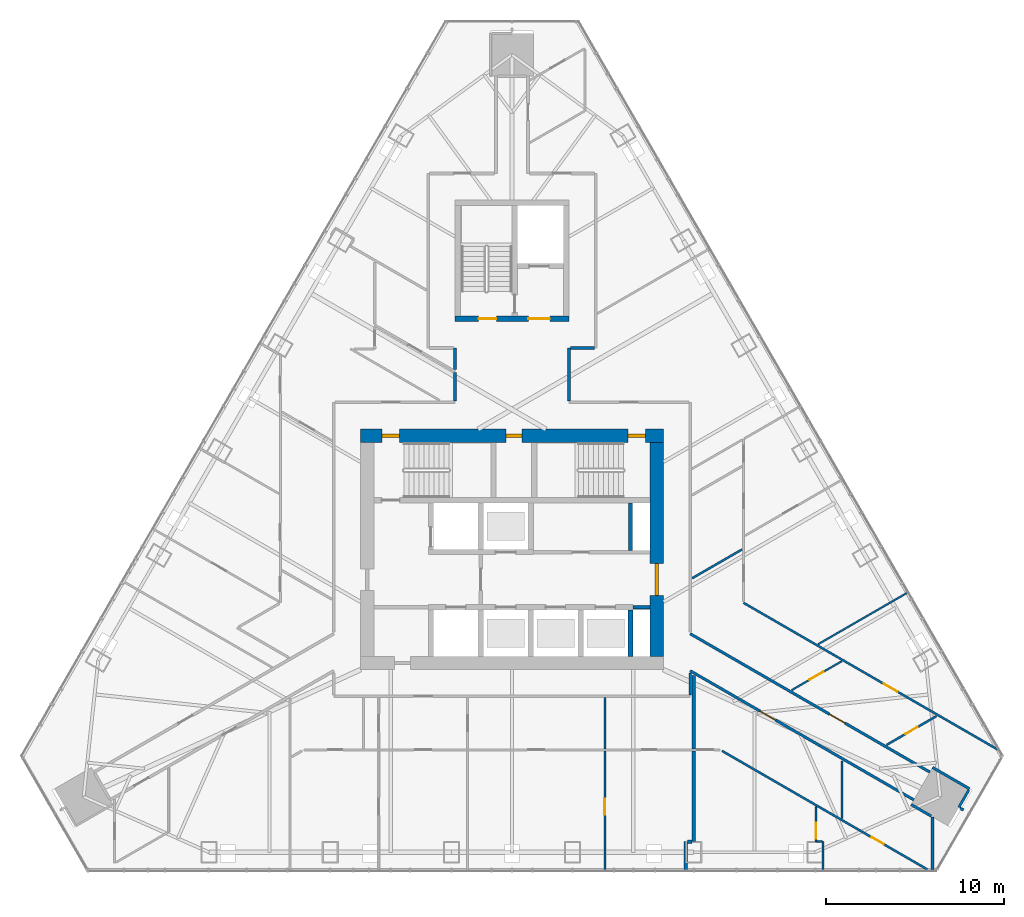
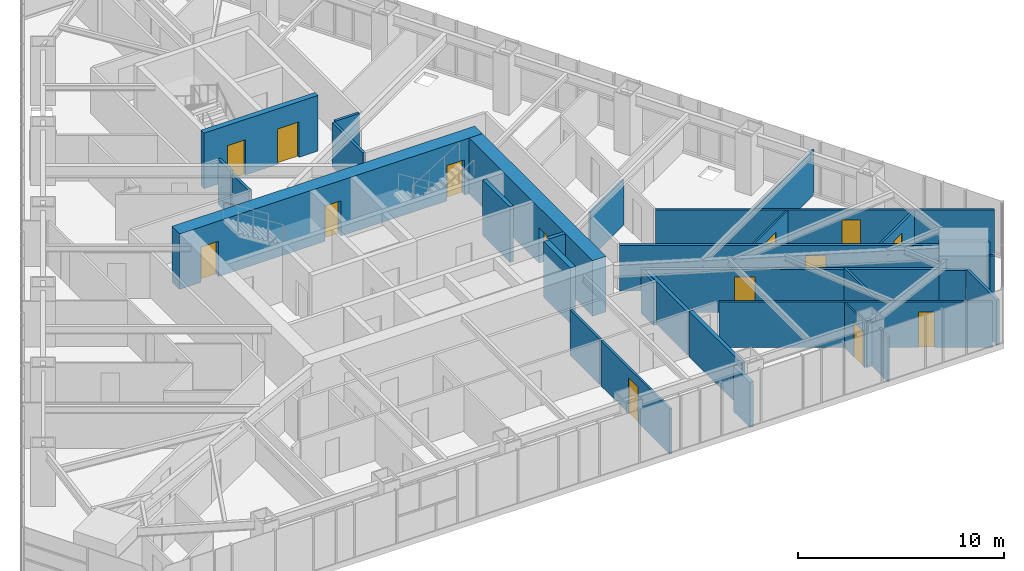
# One storey, part 15 of 19: 34 walls, 14 doors, 14 openings.
"""IFC4 building model written with IfcOpenShell, lengths in metres."""

from ifc_helpers import new_model, si_unit, direction, frame, frame_2d, origin, place, context, subcontext, project, spatial, rectangle, extrude, material, layer, layer_set, type_object, element, fill, save


model = new_model("IFC4")

# Units and contexts
model_context = context("Model", 3, precision=1e-05, world=origin(), true_north=direction((0.0, 1.0)))
body_context = subcontext(model_context, "Body", "Model", "MODEL_VIEW")
ifc_project = project(units=[si_unit("LENGTHUNIT", "METRE"), si_unit("AREAUNIT", "SQUARE_METRE"), si_unit("VOLUMEUNIT", "CUBIC_METRE"), si_unit("PLANEANGLEUNIT", "RADIAN"), si_unit("MASSUNIT", "GRAM", prefix="KILO")], contexts=[model_context])

# Site, building, storey
site_placement = place(None, origin())
site = spatial("IfcSite", under=ifc_project, at=site_placement, CompositionType="ELEMENT")
building_placement = place(site_placement, origin())
building = spatial("IfcBuilding", under=site, at=building_placement, Name="Firuza Gate Tower and Library", CompositionType="ELEMENT")
storey_placement = place(building_placement, frame((0.0, 0.0, 256.60009765625)))
storey = spatial("IfcBuildingStorey", under=building, at=storey_placement, Name="L60", CompositionType="ELEMENT", Elevation=256.60009765625)

# Walls
ifc_material_1 = material(Name="Plasterboard on steel studs", Category="steel")
ifc_layer_1 = layer(ifc_material_1, 0.199951171875)
ifc_layer_set_1 = layer_set([ifc_layer_1], Name="Core partition 200 EI 120")
wall_type_1 = type_object("IfcWallType", Name="Core partition 200 EI 120", PredefinedType="PARTITIONING", material=ifc_layer_set_1)
wall_1_placement = place(storey_placement, frame((81.800048828125, 71.75, 0.0), z_axis=(0.0, 0.0, 1.0), x_axis=(1.0, 0.0, 0.0)))
element("IfcWall", 1, at=wall_1_placement, inside=storey, type_object=wall_type_1, Name="Core partition L60 2", PredefinedType="PARTITIONING", context=body_context, shape_type="SweptSolid", body=[
    extrude(rectangle(XDim=0.949951171875, YDim=0.199951171875, at=frame_2d((0.47509765625, 0.0))), origin(), (0.0, 0.0, 1.0), 3.2998046875),
])
wall_2_placement = place(storey_placement, frame((81.64990234375, 74.949951171875, 0.0), z_axis=(0.0, 0.0, 1.0), x_axis=(0.0, 1.0, 0.0)))
element("IfcWall", 2, at=wall_2_placement, inside=storey, type_object=wall_type_1, Name="Core partition L60 5", PredefinedType="PARTITIONING", context=body_context, shape_type="SweptSolid", body=[
    extrude(rectangle(XDim=2.650146484375, YDim=0.199951171875, at=frame_2d((1.3251953125, 0.0))), origin(), (0.0, 0.0, 1.0), 3.2998046875),
])
ifc_material_2 = material(Name="Concrete C60/75", Category="concrete")
ifc_layer_2 = layer(ifc_material_2, 0.300048828125)
ifc_layer_set_2 = layer_set([ifc_layer_2], Name="Core wall 300 C60/75")
wall_type_2 = type_object("IfcWallType", Name="Core wall 300 C60/75", PredefinedType="SHEAR", material=ifc_layer_set_2)
wall_3_placement = place(storey_placement, frame((81.64990234375, 69.0, 0.0), z_axis=(0.0, 0.0, 1.0), x_axis=(0.0, 1.0, 0.0)))
element("IfcWall", 3, at=wall_3_placement, inside=storey, type_object=wall_type_2, Name="Core wall L60 14", PredefinedType="SHEAR", context=body_context, shape_type="SweptSolid", body=[
    extrude(rectangle(XDim=2.60009765625, YDim=0.300048828125, at=frame_2d((1.300048828125, 0.0))), origin(), (0.0, 0.0, 1.0), 3.2998046875),
])

# Wall, openings, doors
wall_4_placement = place(storey_placement, frame((71.800048828125, 87.949951171875, 0.0), z_axis=(0.0, 0.0, 1.0), x_axis=(1.0, 0.0, 0.0)))
wall_4 = element("IfcWall", 4, at=wall_4_placement, inside=storey, type_object=wall_type_2, Name="Core wall L60 18", PredefinedType="SHEAR", context=body_context, shape_type="SweptSolid", body=[
    extrude(rectangle(XDim=6.39990234375, YDim=0.300048828125, at=frame_2d((3.199951171875, 0.0))), origin(), (0.0, 0.0, 1.0), 3.2998046875),
])
opening_1_placement = place(wall_4_placement, frame((1.324951171875, 0.0, 0.0)))
opening_1 = element("IfcOpeningElement", 5, at=opening_1_placement, cuts=wall_4, Name="Opening L60-K11", PredefinedType="OPENING", context=body_context, shape_type="SweptSolid", body=[
    extrude(rectangle(XDim=1.0, YDim=2.10009765625, at=frame_2d((0.5, 1.050048828125))), frame((0.0, 0.16015625, 0.0), z_axis=(0.0, -1.0, 0.0), x_axis=(1.0, 0.0, 0.0)), (0.0, 0.0, 1.0), 0.320068359375),
])
opening_2_placement = place(wall_4_placement, frame((4.125, 0.0, 0.0)))
opening_2 = element("IfcOpeningElement", 6, at=opening_2_placement, cuts=wall_4, Name="Opening L60-K13", PredefinedType="OPENING", context=body_context, shape_type="SweptSolid", body=[
    extrude(rectangle(XDim=1.199951171875, YDim=2.10009765625, at=frame_2d((0.60009765625, 1.050048828125))), frame((0.0, 0.16015625, 0.0), z_axis=(0.0, -1.0, 0.0), x_axis=(1.0, 0.0, 0.0)), (0.0, 0.0, 1.0), 0.320068359375),
])
ifc_material_3 = material(Name="Steel", Category="steel")
door_type_1 = type_object("IfcDoorType", Name="Fire door 1000x2100 FD90", OperationType="NOTDEFINED", PredefinedType="DOOR", material=ifc_material_3)
door_1_placement = place(opening_1_placement, origin())
door_1 = element("IfcDoor", 7, at=door_1_placement, inside=storey, type_object=door_type_1, Name="Door L60-K11", OperationType="SINGLE_SWING_RIGHT", OverallHeight=2.10009765625, OverallWidth=1.0, PredefinedType="DOOR", context=body_context, shape_type="SweptSolid", body=[
    extrude(rectangle(XDim=1.0, YDim=2.10009765625, at=frame_2d((0.5, 1.050048828125))), frame((0.0, 0.02490234375, 0.0), z_axis=(0.0, -1.0, 0.0), x_axis=(1.0, 0.0, 0.0)), (0.0, 0.0, 1.0), 0.050048828125),
])
fill(opening_1, door_1)
ifc_material_4 = material(Name="Steel", Category="steel")
door_type_2 = type_object("IfcDoorType", Name="Fire door 1200x2100 FD30S", OperationType="NOTDEFINED", PredefinedType="DOOR", material=ifc_material_4)
door_2_placement = place(opening_2_placement, origin())
door_2 = element("IfcDoor", 8, at=door_2_placement, inside=storey, type_object=door_type_2, Name="Door L60-K13", OperationType="SINGLE_SWING_RIGHT", OverallHeight=2.10009765625, OverallWidth=1.199951171875, PredefinedType="DOOR", context=body_context, shape_type="SweptSolid", body=[
    extrude(rectangle(XDim=1.199951171875, YDim=2.10009765625, at=frame_2d((0.60009765625, 1.050048828125))), frame((0.0, 0.02490234375, 0.0), z_axis=(0.0, -1.0, 0.0), x_axis=(1.0, 0.0, 0.0)), (0.0, 0.0, 1.0), 0.050048828125),
])
fill(opening_2, door_2)

ifc_material_5 = material(Name="Concrete C60/75", Category="concrete")
ifc_layer_3 = layer(ifc_material_5, 0.75)
ifc_layer_set_3 = layer_set([ifc_layer_3], Name="Core wall 750 C60/75")
wall_type_3 = type_object("IfcWallType", Name="Core wall 750 C60/75", PredefinedType="SHEAR", material=ifc_layer_set_3)
wall_5_placement = place(storey_placement, frame((66.5, 81.375, 0.0), z_axis=(0.0, 0.0, 1.0), x_axis=(1.0, 0.0, 0.0)))
wall_5 = element("IfcWall", 9, at=wall_5_placement, inside=storey, type_object=wall_type_3, Name="Core wall L60 2", PredefinedType="SHEAR", context=body_context, shape_type="SweptSolid", body=[
    extrude(rectangle(XDim=17.0, YDim=0.75, at=frame_2d((8.5, 0.0))), origin(), (0.0, 0.0, 1.0), 3.2998046875),
])
opening_3_placement = place(wall_5_placement, frame((1.195068359375, 0.0, 0.0)))
opening_3 = element("IfcOpeningElement", 10, at=opening_3_placement, cuts=wall_5, Name="Opening L60-K09", PredefinedType="OPENING", context=body_context, shape_type="SweptSolid", body=[
    extrude(rectangle(XDim=1.0, YDim=2.10009765625, at=frame_2d((0.5, 1.050048828125))), frame((0.0, 0.385009765625, 0.0), z_axis=(0.0, -1.0, 0.0), x_axis=(1.0, 0.0, 0.0)), (0.0, 0.0, 1.0), 0.77001953125),
])
opening_4_placement = place(wall_5_placement, frame((15.0048828125, 0.0, 0.0)))
opening_4 = element("IfcOpeningElement", 11, at=opening_4_placement, cuts=wall_5, Name="Opening L60-K10", PredefinedType="OPENING", context=body_context, shape_type="SweptSolid", body=[
    extrude(rectangle(XDim=1.0, YDim=2.10009765625, at=frame_2d((0.5, 1.050048828125))), frame((0.0, 0.385009765625, 0.0), z_axis=(0.0, -1.0, 0.0), x_axis=(1.0, 0.0, 0.0)), (0.0, 0.0, 1.0), 0.77001953125),
])
opening_5_placement = place(wall_5_placement, frame((8.14990234375, 0.0, 0.0)))
opening_5 = element("IfcOpeningElement", 12, at=opening_5_placement, cuts=wall_5, Name="Opening L60-K19", PredefinedType="OPENING", context=body_context, shape_type="SweptSolid", body=[
    extrude(rectangle(XDim=0.89990234375, YDim=2.10009765625, at=frame_2d((0.449951171875, 1.050048828125))), frame((0.0, 0.385009765625, 0.0), z_axis=(0.0, -1.0, 0.0), x_axis=(1.0, 0.0, 0.0)), (0.0, 0.0, 1.0), 0.77001953125),
])
door_3_placement = place(opening_3_placement, origin())
door_3 = element("IfcDoor", 13, at=door_3_placement, inside=storey, type_object=door_type_1, Name="Door L60-K09", OperationType="SINGLE_SWING_RIGHT", OverallHeight=2.10009765625, OverallWidth=1.0, PredefinedType="DOOR", context=body_context, shape_type="SweptSolid", body=[
    extrude(rectangle(XDim=1.0, YDim=2.10009765625, at=frame_2d((0.5, 1.050048828125))), frame((0.0, 0.094970703125, 0.0), z_axis=(0.0, -1.0, 0.0), x_axis=(1.0, 0.0, 0.0)), (0.0, 0.0, 1.0), 0.18994140625),
])
fill(opening_3, door_3)
door_4_placement = place(opening_4_placement, origin())
door_4 = element("IfcDoor", 14, at=door_4_placement, inside=storey, type_object=door_type_1, Name="Door L60-K10", OperationType="SINGLE_SWING_LEFT", OverallHeight=2.10009765625, OverallWidth=1.0, PredefinedType="DOOR", context=body_context, shape_type="SweptSolid", body=[
    extrude(rectangle(XDim=1.0, YDim=2.10009765625, at=frame_2d((0.5, 1.050048828125))), frame((0.0, 0.094970703125, 0.0), z_axis=(0.0, -1.0, 0.0), x_axis=(1.0, 0.0, 0.0)), (0.0, 0.0, 1.0), 0.18994140625),
])
fill(opening_4, door_4)
ifc_material_6 = material(Name="Steel", Category="steel")
door_type_3 = type_object("IfcDoorType", Name="Fire door 900x2100 FD30S", OperationType="NOTDEFINED", PredefinedType="DOOR", material=ifc_material_6)
door_5_placement = place(opening_5_placement, origin())
door_5 = element("IfcDoor", 15, at=door_5_placement, inside=storey, type_object=door_type_3, Name="Door L60-K19", OperationType="SINGLE_SWING_RIGHT", OverallHeight=2.10009765625, OverallWidth=0.89990234375, PredefinedType="DOOR", context=body_context, shape_type="SweptSolid", body=[
    extrude(rectangle(XDim=0.89990234375, YDim=2.10009765625, at=frame_2d((0.449951171875, 1.050048828125))), frame((0.0, 0.094970703125, 0.0), z_axis=(0.0, -1.0, 0.0), x_axis=(1.0, 0.0, 0.0)), (0.0, 0.0, 1.0), 0.18994140625),
])
fill(opening_5, door_5)

# Wall, opening, door
wall_6_placement = place(storey_placement, frame((83.125, 69.0, 0.0), z_axis=(0.0, 0.0, 1.0), x_axis=(0.0, 1.0, 0.0)))
wall_6 = element("IfcWall", 16, at=wall_6_placement, inside=storey, type_object=wall_type_3, Name="Core wall L60 4", PredefinedType="SHEAR", context=body_context, shape_type="SweptSolid", body=[
    extrude(rectangle(XDim=12.0, YDim=0.75, at=frame_2d((6.0, 0.0))), origin(), (0.0, 0.0, 1.0), 3.2998046875),
])
opening_6_placement = place(wall_6_placement, frame((3.39990234375, 0.0, 0.0)))
opening_6 = element("IfcOpeningElement", 17, at=opening_6_placement, cuts=wall_6, Name="Opening L60-K16", PredefinedType="OPENING", context=body_context, shape_type="SweptSolid", body=[
    extrude(rectangle(XDim=1.800048828125, YDim=2.10009765625, at=frame_2d((0.89990234375, 1.050048828125))), frame((0.0, 0.385009765625, 0.0), z_axis=(0.0, -1.0, 0.0), x_axis=(1.0, 0.0, 0.0)), (0.0, 0.0, 1.0), 0.77001953125),
])
ifc_material_7 = material(Name="Steel", Category="steel")
door_type_4 = type_object("IfcDoorType", Name="Fire door 1800x2100 FD30S", OperationType="NOTDEFINED", PredefinedType="DOOR", material=ifc_material_7)
door_6_placement = place(opening_6_placement, origin())
door_6 = element("IfcDoor", 18, at=door_6_placement, inside=storey, type_object=door_type_4, Name="Door L60-K16", OperationType="SINGLE_SWING_LEFT", OverallHeight=2.10009765625, OverallWidth=1.800048828125, PredefinedType="DOOR", context=body_context, shape_type="SweptSolid", body=[
    extrude(rectangle(XDim=1.800048828125, YDim=2.10009765625, at=frame_2d((0.89990234375, 1.050048828125))), frame((0.0, 0.094970703125, 0.0), z_axis=(0.0, -1.0, 0.0), x_axis=(1.0, 0.0, 0.0)), (0.0, 0.0, 1.0), 0.18994140625),
])
fill(opening_6, door_6)

# Walls
ifc_material_8 = material(Name="Gypsum board partition")
ifc_layer_4 = layer(ifc_material_8, 0.14990234375)
ifc_layer_set_4 = layer_set([ifc_layer_4], Name="Corridor wall 150 double board on steel studs")
wall_type_4 = type_object("IfcWallType", Name="Corridor wall 150 double board on steel studs", PredefinedType="PARTITIONING", material=ifc_layer_set_4)
wall_7_placement = place(storey_placement, frame((78.27490234375, 86.300048828125, 0.0), z_axis=(0.0, 0.0, 1.0), x_axis=(1.0, 0.0, 0.0)))
element("IfcWall", 19, at=wall_7_placement, inside=storey, type_object=wall_type_4, Name="f:L60:w008", PredefinedType="PARTITIONING", context=body_context, shape_type="SweptSolid", body=[
    extrude(rectangle(XDim=1.349609375, YDim=0.14990234375, at=frame_2d((0.6748046875, 0.0))), origin(), (0.0, 0.0, 1.0), 2.699951171875),
])
wall_8_placement = place(storey_placement, frame((100.080078125, 60.52001953125, 0.0), z_axis=(0.0, 0.0, 1.0), x_axis=(0.500060622324, 0.86599040064, 0.0)))
element("IfcWall", 20, at=wall_8_placement, inside=storey, type_object=wall_type_4, Name="f:L60:w030", PredefinedType="PARTITIONING", context=body_context, shape_type="SweptSolid", body=[
    extrude(rectangle(XDim=1.124755859375, YDim=0.14990234375, at=frame_2d((0.5625, 0.0))), origin(), (0.0, 0.0, 1.0), 2.699951171875),
])
wall_9_placement = place(storey_placement, frame((98.60107421875, 57.042236328125, 0.0), z_axis=(0.0, 0.0, 1.0), x_axis=(0.0, 1.0, 0.0)))
element("IfcWall", 21, at=wall_9_placement, inside=storey, type_object=wall_type_4, Name="f:L60:w033", PredefinedType="PARTITIONING", context=body_context, shape_type="SweptSolid", body=[
    extrude(rectangle(XDim=2.9462890625, YDim=0.14990234375, at=frame_2d((1.47314453125, 0.0))), origin(), (0.0, 0.0, 1.0), 2.699951171875),
])
wall_10_placement = place(storey_placement, frame((85.0, 66.824951171875, 0.0), z_axis=(0.0, 0.0, 1.0), x_axis=(0.0, 1.0, 0.0)))
element("IfcWall", 22, at=wall_10_placement, inside=storey, type_object=wall_type_4, Name="f:L60:w039", PredefinedType="PARTITIONING", context=body_context, shape_type="SweptSolid", body=[
    extrude(rectangle(XDim=1.225830078125, YDim=0.14990234375, at=frame_2d((0.61279296875, 0.0))), origin(), (0.0, 0.0, 1.0), 2.546875),
])
wall_11_placement = place(storey_placement, frame((78.199951171875, 83.324951171875, 0.0), z_axis=(0.0, 0.0, 1.0), x_axis=(0.0, 1.0, 0.0)))
element("IfcWall", 23, at=wall_11_placement, inside=storey, type_object=wall_type_4, Name="f:L60:w045", PredefinedType="PARTITIONING", context=body_context, shape_type="SweptSolid", body=[
    extrude(rectangle(XDim=2.97509765625, YDim=0.14990234375, at=frame_2d((1.487548828125, 0.0))), origin(), (0.0, 0.0, 1.0), 2.621826171875),
])
wall_12_placement = place(storey_placement, frame((71.800048828125, 83.324951171875, 0.0), z_axis=(0.0, 0.0, 1.0), x_axis=(0.0, 1.0, 0.0)))
element("IfcWall", 24, at=wall_12_placement, inside=storey, type_object=wall_type_4, Name="f:L60:w051", PredefinedType="PARTITIONING", context=body_context, shape_type="SweptSolid", body=[
    extrude(rectangle(XDim=1.61376953125, YDim=0.14990234375, at=frame_2d((0.806884765625, 0.0))), origin(), (0.0, 0.0, 1.0), 2.621826171875),
])
wall_13_placement = place(storey_placement, frame((100.680419921875, 61.55908203125, 0.0), z_axis=(0.0, 0.0, 1.0), x_axis=(-0.866024647952, 0.500001309137, 0.0)))
element("IfcWall", 25, at=wall_13_placement, inside=storey, type_object=wall_type_4, Name="f:L60:w070", PredefinedType="PARTITIONING", context=body_context, shape_type="SweptSolid", body=[
    extrude(rectangle(XDim=2.39990234375, YDim=0.14990234375, at=frame_2d((1.199951171875, 0.0))), origin(), (0.0, 0.0, 1.0), 2.699951171875),
])

# Wall, opening, door
wall_14_placement = place(storey_placement, frame((85.0, 70.265869140625, 0.0), z_axis=(0.0, 0.0, 1.0), x_axis=(0.866021473228, -0.500006807861, 0.0)))
wall_14 = element("IfcWall", 26, at=wall_14_placement, inside=storey, type_object=wall_type_4, Name="f:L60:w071", PredefinedType="PARTITIONING", context=body_context, shape_type="SweptSolid", body=[
    extrude(rectangle(XDim=15.532958984375, YDim=0.14990234375, at=frame_2d((7.7666015625, 0.0))), origin(), (0.0, 0.0, 1.0), 2.699951171875),
])
opening_7_placement = place(wall_14_placement, frame((9.02880859375, 0.0, 0.0)))
opening_7 = element("IfcOpeningElement", 27, at=opening_7_placement, cuts=wall_14, Name="Opening L60-32", PredefinedType="OPENING", context=body_context, shape_type="SweptSolid", body=[
    extrude(rectangle(XDim=1.0, YDim=2.10009765625, at=frame_2d((0.5, 1.050048828125))), frame((0.0, 0.0849609375, 0.0), z_axis=(0.0, -1.0, 0.0), x_axis=(1.0, 0.0, 0.0)), (0.0, 0.0, 1.0), 0.169921875),
])
ifc_material_9 = material(Name="Steel door and timber leaf", Category="steel")
door_type_5 = type_object("IfcDoorType", Name="Fire door 1000 x 2100 steel frame, timber leaf", OperationType="NOTDEFINED", PredefinedType="DOOR", material=ifc_material_9)
door_7_placement = place(opening_7_placement, origin())
door_7 = element("IfcDoor", 28, at=door_7_placement, inside=storey, type_object=door_type_5, Name="f:L60:d032", OperationType="SINGLE_SWING_LEFT", OverallHeight=2.10009765625, OverallWidth=1.0, PredefinedType="DOOR", context=body_context, shape_type="SweptSolid", body=[
    extrude(rectangle(XDim=1.0, YDim=2.10009765625, at=frame_2d((0.5, 1.050048828125))), frame((0.0, 0.02490234375, 0.0), z_axis=(0.0, -1.0, 0.0), x_axis=(1.0, 0.0, 0.0)), (0.0, 0.0, 1.0), 0.050048828125),
])
fill(opening_7, door_7)

# Wall
wall_15_placement = place(storey_placement, frame((100.34033203125, 60.369873046875, 0.0), z_axis=(0.0, 0.0, 1.0), x_axis=(-0.866167537795, 0.499753735824, 0.0)))
element("IfcWall", 29, at=wall_15_placement, inside=storey, type_object=wall_type_4, Name="f:L60:w073", PredefinedType="PARTITIONING", context=body_context, shape_type="SweptSolid", body=[
    extrude(rectangle(XDim=0.22509765625, YDim=0.14990234375, at=frame_2d((0.112548828125, 0.0))), origin(), (0.0, 0.0, 1.0), 2.699951171875),
])

# Wall, opening, door
wall_16_placement = place(storey_placement, frame((97.552001953125, 60.9404296875, 0.0), z_axis=(0.0, 0.0, 1.0), x_axis=(-0.866027660432, 0.499996091351, 0.0)))
wall_16 = element("IfcWall", 30, at=wall_16_placement, inside=storey, type_object=wall_type_4, Name="f:L60:w074", PredefinedType="PARTITIONING", context=body_context, shape_type="SweptSolid", body=[
    extrude(rectangle(XDim=14.49365234375, YDim=0.14990234375, at=frame_2d((7.246826171875, 0.0))), origin(), (0.0, 0.0, 1.0), 2.546875),
])
opening_8_placement = place(wall_16_placement, frame((8.954833984375, 0.0, 0.0)))
opening_8 = element("IfcOpeningElement", 31, at=opening_8_placement, cuts=wall_16, Name="Opening L60-34", PredefinedType="OPENING", context=body_context, shape_type="SweptSolid", body=[
    extrude(rectangle(XDim=1.0, YDim=2.10009765625, at=frame_2d((0.5, 1.050048828125))), frame((0.0, 0.0849609375, 0.0), z_axis=(0.0, -1.0, 0.0), x_axis=(1.0, 0.0, 0.0)), (0.0, 0.0, 1.0), 0.169921875),
])
door_8_placement = place(opening_8_placement, origin())
door_8 = element("IfcDoor", 32, at=door_8_placement, inside=storey, type_object=door_type_5, Name="f:L60:d034", OperationType="SINGLE_SWING_LEFT", OverallHeight=2.10009765625, OverallWidth=1.0, PredefinedType="DOOR", context=body_context, shape_type="SweptSolid", body=[
    extrude(rectangle(XDim=1.0, YDim=2.10009765625, at=frame_2d((0.5, 1.050048828125))), frame((0.0, 0.02490234375, 0.0), z_axis=(0.0, -1.0, 0.0), x_axis=(1.0, 0.0, 0.0)), (0.0, 0.0, 1.0), 0.050048828125),
])
fill(opening_8, door_8)

# Walls
wall_17_placement = place(storey_placement, frame((98.525634765625, 60.031982421875, 0.0), z_axis=(0.0, 0.0, 1.0), x_axis=(-0.866069663658, 0.499923331814, 0.0)))
element("IfcWall", 33, at=wall_17_placement, inside=storey, type_object=wall_type_4, Name="f:L60:w075", PredefinedType="PARTITIONING", context=body_context, shape_type="SweptSolid", body=[
    extrude(rectangle(XDim=1.297607421875, YDim=0.14990234375, at=frame_2d((0.64892578125, 0.0))), origin(), (0.0, 0.0, 1.0), 2.699951171875),
])
wall_18_placement = place(storey_placement, frame((71.800048828125, 85.103271484375, 0.0), z_axis=(0.0, 0.0, 1.0), x_axis=(0.0, 1.0, 0.0)))
element("IfcWall", 34, at=wall_18_placement, inside=storey, type_object=wall_type_4, Name="f:L60:w085", PredefinedType="PARTITIONING", context=body_context, shape_type="SweptSolid", body=[
    extrude(rectangle(XDim=1.19677734375, YDim=0.14990234375, at=frame_2d((0.598388671875, 0.0))), origin(), (0.0, 0.0, 1.0), 2.699951171875),
])
ifc_material_10 = material(Name="Gypsum board partition")
ifc_layer_5 = layer(ifc_material_10, 0.199951171875)
ifc_layer_set_5 = layer_set([ifc_layer_5], Name="Demising wall 200 acoustic double stud")
wall_type_5 = type_object("IfcWallType", Name="Demising wall 200 acoustic double stud", PredefinedType="PARTITIONING", material=ifc_layer_set_5)
wall_19_placement = place(storey_placement, frame((84.8505859375, 58.60205078125, 0.0), z_axis=(0.0, 0.0, 1.0), x_axis=(1.0, 0.0, 0.0)))
element("IfcWall", 35, at=wall_19_placement, inside=storey, type_object=wall_type_5, Name="f:L60:w000", PredefinedType="PARTITIONING", context=body_context, shape_type="SweptSolid", body=[
    extrude(rectangle(XDim=0.2490234375, YDim=0.199951171875, at=frame_2d((0.12451171875, 0.0))), origin(), (0.0, 0.0, 1.0), 2.699951171875),
])
wall_20_placement = place(storey_placement, frame((85.199951171875, 58.6025390625, 0.0), z_axis=(0.0, 0.0, 1.0), x_axis=(0.0, 1.0, 0.0)))
element("IfcWall", 36, at=wall_20_placement, inside=storey, type_object=wall_type_5, Name="f:L60:w038", PredefinedType="PARTITIONING", context=body_context, shape_type="SweptSolid", body=[
    extrude(rectangle(XDim=5.08740234375, YDim=0.199951171875, at=frame_2d((2.543701171875, 0.0))), origin(), (0.0, 0.0, 1.0), 2.699951171875),
])
wall_21_placement = place(storey_placement, frame((84.75, 57.002197265625, 0.0), z_axis=(0.0, 0.0, 1.0), x_axis=(0.0, 1.0, 0.0)))
element("IfcWall", 37, at=wall_21_placement, inside=storey, type_object=wall_type_5, Name="f:L60:w041", PredefinedType="PARTITIONING", context=body_context, shape_type="SweptSolid", body=[
    extrude(rectangle(XDim=1.599365234375, YDim=0.199951171875, at=frame_2d((0.7998046875, 0.0))), origin(), (0.0, 0.0, 1.0), 2.68798828125),
])
wall_22_placement = place(storey_placement, frame((85.199951171875, 63.81005859375, 0.0), z_axis=(0.0, 0.0, 1.0), x_axis=(0.0, 1.0, 0.0)))
element("IfcWall", 38, at=wall_22_placement, inside=storey, type_object=wall_type_5, Name="f:L60:w083", PredefinedType="PARTITIONING", context=body_context, shape_type="SweptSolid", body=[
    extrude(rectangle(XDim=4.115234375, YDim=0.199951171875, at=frame_2d((2.0576171875, 0.0))), origin(), (0.0, 0.0, 1.0), 2.546875),
])
ifc_material_11 = material(Name="Gypsum board partition")
ifc_layer_6 = layer(ifc_material_11, 0.10009765625)
ifc_layer_set_6 = layer_set([ifc_layer_6], Name="Partition 100 gypsum board on steel studs")
wall_type_6 = type_object("IfcWallType", Name="Partition 100 gypsum board on steel studs", PredefinedType="PARTITIONING", material=ifc_layer_set_6)
wall_23_placement = place(storey_placement, frame((92.1142578125, 58.60205078125, 0.0), z_axis=(0.0, 0.0, 1.0), x_axis=(1.0, 0.0, 0.0)))
element("IfcWall", 39, at=wall_23_placement, inside=storey, type_object=wall_type_6, Name="f:L60:w001", PredefinedType="PARTITIONING", context=body_context, shape_type="SweptSolid", body=[
    extrude(rectangle(XDim=0.28564453125, YDim=0.10009765625, at=frame_2d((0.142822265625, 0.0))), origin(), (0.0, 0.0, 1.0), 2.699951171875),
])

# Wall, opening, door
wall_24_placement = place(storey_placement, frame((90.68994140625, 67.097412109375, 0.0), z_axis=(0.0, 0.0, 1.0), x_axis=(0.86605167102, 0.499954501053, 0.0)))
wall_24 = element("IfcWall", 40, at=wall_24_placement, inside=storey, type_object=wall_type_6, Name="f:L60:w014", PredefinedType="PARTITIONING", context=body_context, shape_type="SweptSolid", body=[
    extrude(rectangle(XDim=3.248291015625, YDim=0.10009765625, at=frame_2d((1.6240234375, 0.0))), origin(), (0.0, 0.0, 1.0), 2.699951171875),
])
opening_9_placement = place(wall_24_placement, frame((1.174072265625, 0.0, 0.0)))
opening_9 = element("IfcOpeningElement", 41, at=opening_9_placement, cuts=wall_24, Name="Opening L60-12", PredefinedType="OPENING", context=body_context, shape_type="SweptSolid", body=[
    extrude(rectangle(XDim=0.89990234375, YDim=2.10009765625, at=frame_2d((0.449951171875, 1.050048828125))), frame((0.0, 0.06005859375, 0.0), z_axis=(0.0, -1.0, 0.0), x_axis=(1.0, 0.0, 0.0)), (0.0, 0.0, 1.0), 0.1201171875),
])
ifc_material_12 = material(Name="Timber door", Category="wood")
door_type_6 = type_object("IfcDoorType", Name="Door 900 x 2100 timber leaf", OperationType="NOTDEFINED", PredefinedType="DOOR", material=ifc_material_12)
door_9_placement = place(opening_9_placement, origin())
door_9 = element("IfcDoor", 42, at=door_9_placement, inside=storey, type_object=door_type_6, Name="f:L60:d012", OperationType="SINGLE_SWING_LEFT", OverallHeight=2.10009765625, OverallWidth=0.89990234375, PredefinedType="DOOR", context=body_context, shape_type="SweptSolid", body=[
    extrude(rectangle(XDim=0.89990234375, YDim=2.10009765625, at=frame_2d((0.449951171875, 1.050048828125))), frame((0.0, 0.02490234375, 0.0), z_axis=(0.0, -1.0, 0.0), x_axis=(1.0, 0.0, 0.0)), (0.0, 0.0, 1.0), 0.050048828125),
])
fill(opening_9, door_9)

# Walls
wall_25_placement = place(storey_placement, frame((92.185791015625, 69.68017578125, 0.0), z_axis=(0.0, 0.0, 1.0), x_axis=(0.866022942541, 0.500004262974, 0.0)))
element("IfcWall", 43, at=wall_25_placement, inside=storey, type_object=wall_type_6, Name="f:L60:w015", PredefinedType="PARTITIONING", context=body_context, shape_type="SweptSolid", body=[
    extrude(rectangle(XDim=5.7744140625, YDim=0.10009765625, at=frame_2d((2.88720703125, 0.0))), origin(), (0.0, 0.0, 1.0), 2.68798828125),
])
wall_26_placement = place(storey_placement, frame((92.449951171875, 57.002197265625, 0.0), z_axis=(0.0, 0.0, 1.0), x_axis=(0.0, 1.0, 0.0)))
element("IfcWall", 44, at=wall_26_placement, inside=storey, type_object=wall_type_6, Name="f:L60:w035", PredefinedType="PARTITIONING", context=body_context, shape_type="SweptSolid", body=[
    extrude(rectangle(XDim=1.599853515625, YDim=0.10009765625, at=frame_2d((0.7998046875, 0.0))), origin(), (0.0, 0.0, 1.0), 2.699951171875),
])

# Wall, opening, door
wall_27_placement = place(storey_placement, frame((92.06396484375, 60.54541015625, 0.0), z_axis=(0.0, 0.0, 1.0), x_axis=(0.0, -1.0, 0.0)))
wall_27 = element("IfcWall", 45, at=wall_27_placement, inside=storey, type_object=wall_type_6, Name="f:L60:w036", PredefinedType="PARTITIONING", context=body_context, shape_type="SweptSolid", body=[
    extrude(rectangle(XDim=1.943359375, YDim=0.10009765625, at=frame_2d((0.9716796875, 0.0))), origin(), (0.0, 0.0, 1.0), 2.699951171875),
])
opening_10_placement = place(wall_27_placement, frame((0.893310546875, 0.0, 0.0)))
opening_10 = element("IfcOpeningElement", 46, at=opening_10_placement, cuts=wall_27, Name="Opening L60-18", PredefinedType="OPENING", context=body_context, shape_type="SweptSolid", body=[
    extrude(rectangle(XDim=0.89990234375, YDim=2.10009765625, at=frame_2d((0.449951171875, 1.050048828125))), frame((0.0, 0.06005859375, 0.0), z_axis=(0.0, -1.0, 0.0), x_axis=(1.0, 0.0, 0.0)), (0.0, 0.0, 1.0), 0.1201171875),
])
door_10_placement = place(opening_10_placement, origin())
door_10 = element("IfcDoor", 47, at=door_10_placement, inside=storey, type_object=door_type_6, Name="f:L60:d018", OperationType="SINGLE_SWING_RIGHT", OverallHeight=2.10009765625, OverallWidth=0.89990234375, PredefinedType="DOOR", context=body_context, shape_type="SweptSolid", body=[
    extrude(rectangle(XDim=0.89990234375, YDim=2.10009765625, at=frame_2d((0.449951171875, 1.050048828125))), frame((0.0, 0.02490234375, 0.0), z_axis=(0.0, -1.0, 0.0), x_axis=(1.0, 0.0, 0.0)), (0.0, 0.0, 1.0), 0.050048828125),
])
fill(opening_10, door_10)

ifc_material_13 = material(Name="Gypsum board partition")
ifc_layer_7 = layer(ifc_material_13, 0.1201171875)
ifc_layer_set_7 = layer_set([ifc_layer_7], Name="Wet-area partition 120 moisture-resistant board")
wall_type_7 = type_object("IfcWallType", Name="Wet-area partition 120 moisture-resistant board", PredefinedType="PARTITIONING", material=ifc_layer_set_7)
wall_28_placement = place(storey_placement, frame((98.820068359375, 65.641357421875, 0.0), z_axis=(0.0, 0.0, 1.0), x_axis=(-0.866033195618, -0.499986503906, 0.0)))
wall_28 = element("IfcWall", 48, at=wall_28_placement, inside=storey, type_object=wall_type_7, Name="f:L60:w013", PredefinedType="PARTITIONING", context=body_context, shape_type="SweptSolid", body=[
    extrude(rectangle(XDim=3.22802734375, YDim=0.1201171875, at=frame_2d((1.614013671875, 0.0))), origin(), (0.0, 0.0, 1.0), 2.699951171875),
])
opening_11_placement = place(wall_28_placement, frame((1.214111328125, 0.0, 0.0)))
opening_11 = element("IfcOpeningElement", 49, at=opening_11_placement, cuts=wall_28, Name="Opening L60-11", PredefinedType="OPENING", context=body_context, shape_type="SweptSolid", body=[
    extrude(rectangle(XDim=0.800048828125, YDim=2.10009765625, at=frame_2d((0.39990234375, 1.050048828125))), frame((0.0, 0.070068359375, 0.0), z_axis=(0.0, -1.0, 0.0), x_axis=(1.0, 0.0, 0.0)), (0.0, 0.0, 1.0), 0.14013671875),
])
ifc_material_14 = material(Name="Timber door", Category="wood")
door_type_7 = type_object("IfcDoorType", Name="Door 800 x 2100 timber leaf", OperationType="NOTDEFINED", PredefinedType="DOOR", material=ifc_material_14)
door_11_placement = place(opening_11_placement, origin())
door_11 = element("IfcDoor", 50, at=door_11_placement, inside=storey, type_object=door_type_7, Name="f:L60:d011", OperationType="SINGLE_SWING_RIGHT", OverallHeight=2.10009765625, OverallWidth=0.800048828125, PredefinedType="DOOR", context=body_context, shape_type="SweptSolid", body=[
    extrude(rectangle(XDim=0.800048828125, YDim=2.10009765625, at=frame_2d((0.39990234375, 1.050048828125))), frame((0.0, 0.02490234375, 0.0), z_axis=(0.0, -1.0, 0.0), x_axis=(1.0, 0.0, 0.0)), (0.0, 0.0, 1.0), 0.050048828125),
])
fill(opening_11, door_11)

# Walls
wall_29_placement = place(storey_placement, frame((85.109619140625, 73.378662109375, 0.0), z_axis=(0.0, 0.0, 1.0), x_axis=(0.866000447062, 0.500043223821, 0.0)))
element("IfcWall", 51, at=wall_29_placement, inside=storey, type_object=wall_type_7, Name="f:L60:w016", PredefinedType="PARTITIONING", context=body_context, shape_type="SweptSolid", body=[
    extrude(rectangle(XDim=3.228271484375, YDim=0.1201171875, at=frame_2d((1.6142578125, 0.0))), origin(), (0.0, 0.0, 1.0), 2.699951171875),
])
wall_30_placement = place(storey_placement, frame((93.527099609375, 59.909423828125, 0.0), z_axis=(0.0, 0.0, 1.0), x_axis=(0.0, 1.0, 0.0)))
element("IfcWall", 52, at=wall_30_placement, inside=storey, type_object=wall_type_7, Name="f:L60:w034", PredefinedType="PARTITIONING", context=body_context, shape_type="SweptSolid", body=[
    extrude(rectangle(XDim=3.22802734375, YDim=0.1201171875, at=frame_2d((1.614013671875, 0.0))), origin(), (0.0, 0.0, 1.0), 2.699951171875),
])

# Wall, opening, door
wall_31_placement = place(storey_placement, frame((80.212890625, 63.68994140625, 0.0), z_axis=(0.0, 0.0, 1.0), x_axis=(0.0, -1.0, 0.0)))
wall_31 = element("IfcWall", 53, at=wall_31_placement, inside=storey, type_object=wall_type_7, Name="f:L60:w042", PredefinedType="PARTITIONING", context=body_context, shape_type="SweptSolid", body=[
    extrude(rectangle(XDim=6.687744140625, YDim=0.1201171875, at=frame_2d((3.34375, 0.0))), origin(), (0.0, 0.0, 1.0), 2.68798828125),
])
opening_12_placement = place(wall_31_placement, frame((2.69384765625, 0.0, 0.0)))
opening_12 = element("IfcOpeningElement", 54, at=opening_12_placement, cuts=wall_31, Name="Opening L60-22", PredefinedType="OPENING", context=body_context, shape_type="SweptSolid", body=[
    extrude(rectangle(XDim=0.89990234375, YDim=2.10009765625, at=frame_2d((0.449951171875, 1.050048828125))), frame((0.0, 0.070068359375, 0.0), z_axis=(0.0, -1.0, 0.0), x_axis=(1.0, 0.0, 0.0)), (0.0, 0.0, 1.0), 0.14013671875),
])
door_12_placement = place(opening_12_placement, origin())
door_12 = element("IfcDoor", 55, at=door_12_placement, inside=storey, type_object=door_type_6, Name="f:L60:d022", OperationType="SINGLE_SWING_LEFT", OverallHeight=2.10009765625, OverallWidth=0.89990234375, PredefinedType="DOOR", context=body_context, shape_type="SweptSolid", body=[
    extrude(rectangle(XDim=0.89990234375, YDim=2.10009765625, at=frame_2d((0.449951171875, 1.050048828125))), frame((0.0, 0.02490234375, 0.0), z_axis=(0.0, -1.0, 0.0), x_axis=(1.0, 0.0, 0.0)), (0.0, 0.0, 1.0), 0.050048828125),
])
fill(opening_12, door_12)

wall_32_placement = place(storey_placement, frame((88.0, 71.997802734375, 0.0), z_axis=(0.0, 0.0, 1.0), x_axis=(0.866029437016, -0.499993014173, 0.0)))
wall_32 = element("IfcWall", 56, at=wall_32_placement, inside=storey, type_object=wall_type_7, Name="f:L60:w068", PredefinedType="PARTITIONING", context=body_context, shape_type="SweptSolid", body=[
    extrude(rectangle(XDim=16.481201171875, YDim=0.1201171875, at=frame_2d((8.24072265625, 0.0))), origin(), (0.0, 0.0, 1.0), 2.699951171875),
])
opening_13_placement = place(wall_32_placement, frame((9.078369140625, 0.0, 0.0)))
opening_13 = element("IfcOpeningElement", 57, at=opening_13_placement, cuts=wall_32, Name="Opening L60-31", PredefinedType="OPENING", context=body_context, shape_type="SweptSolid", body=[
    extrude(rectangle(XDim=0.89990234375, YDim=2.10009765625, at=frame_2d((0.449951171875, 1.050048828125))), frame((0.0, 0.070068359375, 0.0), z_axis=(0.0, -1.0, 0.0), x_axis=(1.0, 0.0, 0.0)), (0.0, 0.0, 1.0), 0.14013671875),
])
door_13_placement = place(opening_13_placement, origin())
door_13 = element("IfcDoor", 58, at=door_13_placement, inside=storey, type_object=door_type_6, Name="f:L60:d031", OperationType="SINGLE_SWING_LEFT", OverallHeight=2.10009765625, OverallWidth=0.89990234375, PredefinedType="DOOR", context=body_context, shape_type="SweptSolid", body=[
    extrude(rectangle(XDim=0.89990234375, YDim=2.10009765625, at=frame_2d((0.449951171875, 1.050048828125))), frame((0.0, 0.02490234375, 0.0), z_axis=(0.0, -1.0, 0.0), x_axis=(1.0, 0.0, 0.0)), (0.0, 0.0, 1.0), 0.050048828125),
])
fill(opening_13, door_13)

wall_33_placement = place(storey_placement, frame((86.78955078125, 63.690185546875, 0.0), z_axis=(0.0, 0.0, 1.0), x_axis=(0.866026581292, -0.499997960491, 0.0)))
wall_33 = element("IfcWall", 59, at=wall_33_placement, inside=storey, type_object=wall_type_7, Name="f:L60:w078", PredefinedType="PARTITIONING", context=body_context, shape_type="SweptSolid", body=[
    extrude(rectangle(XDim=13.2958984375, YDim=0.1201171875, at=frame_2d((6.64794921875, 0.0))), origin(), (0.0, 0.0, 1.0), 2.699951171875),
])
opening_14_placement = place(wall_33_placement, frame((9.677734375, 0.0, 0.0)))
opening_14 = element("IfcOpeningElement", 60, at=opening_14_placement, cuts=wall_33, Name="Opening L60-35", PredefinedType="OPENING", context=body_context, shape_type="SweptSolid", body=[
    extrude(rectangle(XDim=0.800048828125, YDim=2.10009765625, at=frame_2d((0.39990234375, 1.050048828125))), frame((0.0, 0.070068359375, 0.0), z_axis=(0.0, -1.0, 0.0), x_axis=(1.0, 0.0, 0.0)), (0.0, 0.0, 1.0), 0.14013671875),
])
door_14_placement = place(opening_14_placement, origin())
door_14 = element("IfcDoor", 61, at=door_14_placement, inside=storey, type_object=door_type_7, Name="f:L60:d035", OperationType="SINGLE_SWING_LEFT", OverallHeight=2.10009765625, OverallWidth=0.800048828125, PredefinedType="DOOR", context=body_context, shape_type="SweptSolid", body=[
    extrude(rectangle(XDim=0.800048828125, YDim=2.10009765625, at=frame_2d((0.39990234375, 1.050048828125))), frame((0.0, 0.02490234375, 0.0), z_axis=(0.0, -1.0, 0.0), x_axis=(1.0, 0.0, 0.0)), (0.0, 0.0, 1.0), 0.050048828125),
])
fill(opening_14, door_14)

# Wall
wall_34_placement = place(storey_placement, frame((80.212890625, 63.81005859375, 0.0), z_axis=(0.0, 0.0, 1.0), x_axis=(0.0, 1.0, 0.0)))
element("IfcWall", 62, at=wall_34_placement, inside=storey, type_object=wall_type_7, Name="f:L60:w087", PredefinedType="PARTITIONING", context=body_context, shape_type="SweptSolid", body=[
    extrude(rectangle(XDim=2.864990234375, YDim=0.1201171875, at=frame_2d((1.4326171875, 0.0))), origin(), (0.0, 0.0, 1.0), 2.699951171875),
])

save(model, "model.ifc")
